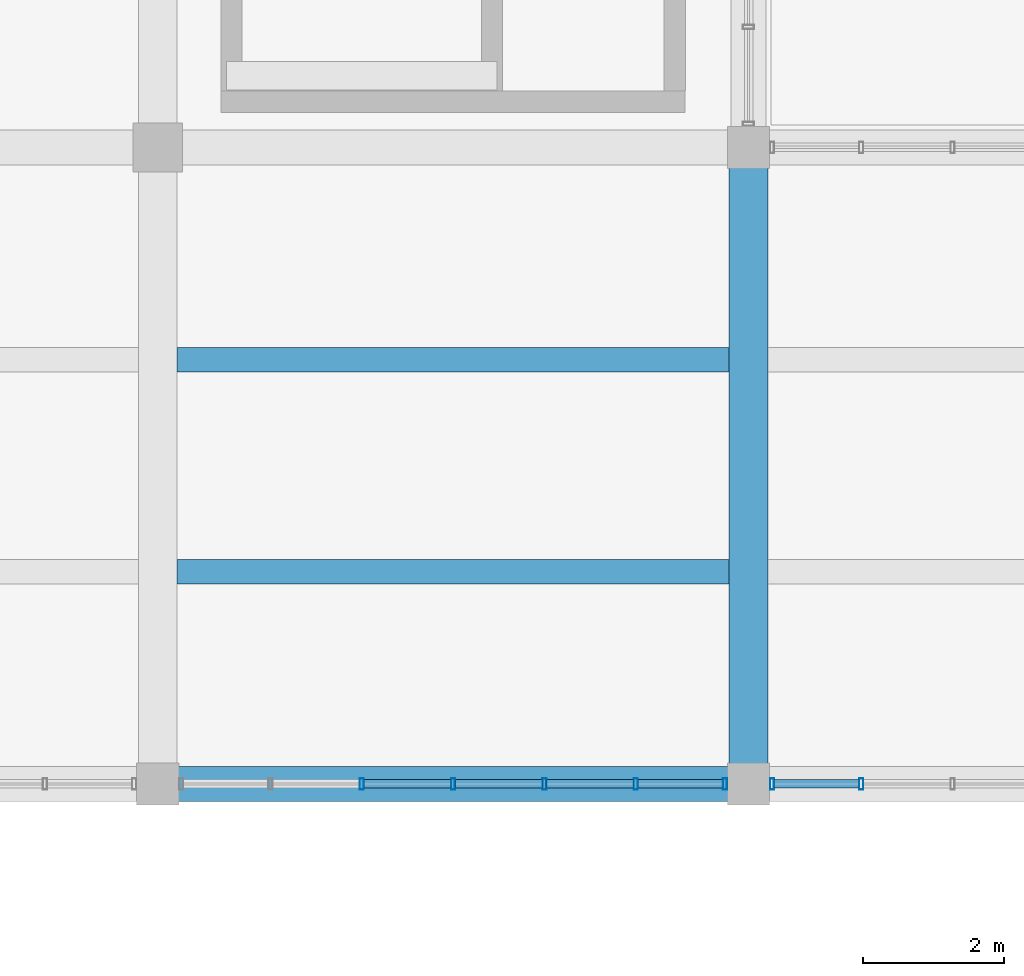
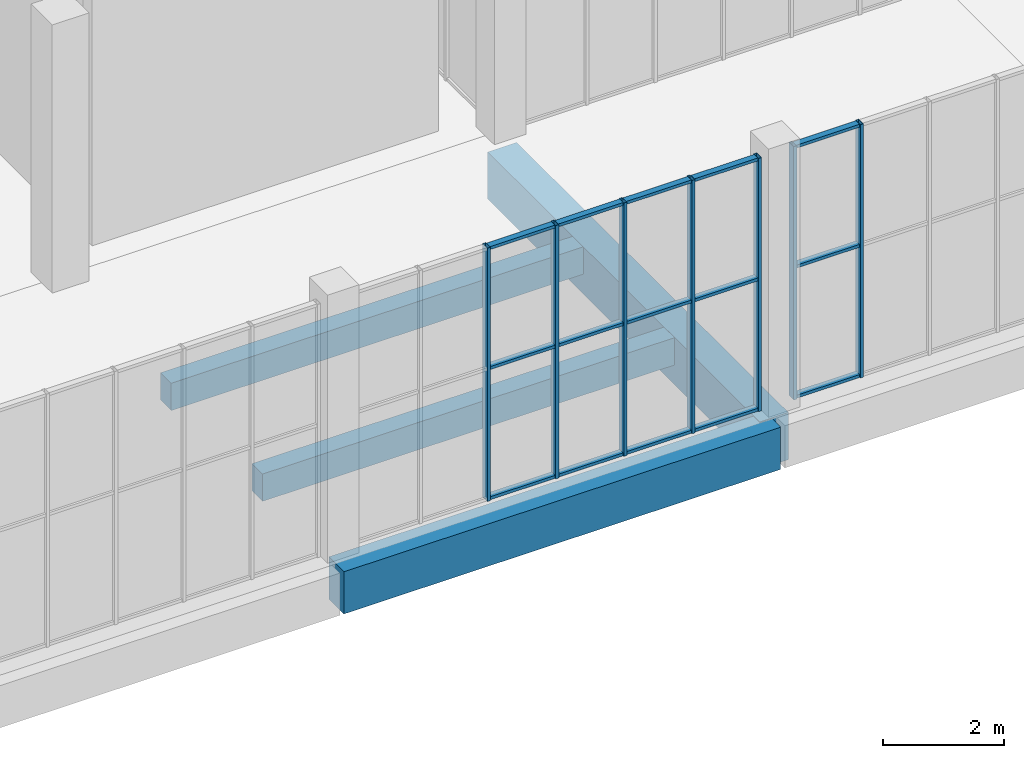
# One storey, part 77 of 132: 22 members, 4 beams, 2 elements without a shape of their own.
"""IFC4 building model written with IfcOpenShell, lengths in metres."""

from ifc_helpers import new_model, si_unit, direction, frame, origin, origin_2d, place, context, subcontext, project, spatial, rectangle, hollow_rectangle, extrude, material, material_profile, profile_set, type_object, element, aggregate, save


model = new_model("IFC4")

# Units and contexts
model_context = context("Model", 3, precision=1e-05, world=origin(), true_north=direction((0.0, 1.0)))
body_context = subcontext(model_context, "Body", "Model", "MODEL_VIEW")
ifc_project = project(units=[si_unit("LENGTHUNIT", "METRE"), si_unit("AREAUNIT", "SQUARE_METRE"), si_unit("VOLUMEUNIT", "CUBIC_METRE"), si_unit("PLANEANGLEUNIT", "RADIAN"), si_unit("MASSUNIT", "GRAM", prefix="KILO")], contexts=[model_context])

# Site, building, storey
site_placement = place(None, origin())
site = spatial("IfcSite", under=ifc_project, at=site_placement, CompositionType="ELEMENT")
building_placement = place(site_placement, origin())
building = spatial("IfcBuilding", under=site, at=building_placement, Name="Khurvash Pelagic Aquarium", CompositionType="ELEMENT")
storey_placement = place(building_placement, frame((0.0, 0.0, 5.39990234375)))
storey = spatial("IfcBuildingStorey", under=building, at=storey_placement, Name="L01", CompositionType="ELEMENT", Elevation=5.39990234375)

# Beam
ifc_material_1 = material(Name="Concrete C40/50", Category="concrete")
ifc_material_profile_1 = material_profile(ifc_material_1, rectangle(XDim=0.550048828125, YDim=0.949951171875, at=origin_2d()), Name="RC550X950")
ifc_profile_set_1 = profile_set([ifc_material_profile_1], Name="Concrete C40/50")
beam_type_1 = type_object("IfcBeamType", Name="BM-02", PredefinedType="BEAM", material=ifc_profile_set_1)
beam_1_placement = place(storey_placement, frame((117.60009765625, 75.0400390625, -0.784912109375), z_axis=(0.0, 1.0, 0.0), x_axis=(-1.0, 0.0, 0.0)))
element("IfcBeam", 1, at=beam_1_placement, inside=storey, type_object=beam_type_1, Name="L01 Primary Girder BM-02 00425", PredefinedType="BEAM", context=body_context, shape_type="SweptSolid", body=[
    extrude(rectangle(XDim=0.550048828125, YDim=0.949951171875, at=origin_2d()), origin(), (0.0, 0.0, 1.0), 8.969970703125),
])

# Curtain wall, members
ifc_material_2 = material(Name="Anodised aluminium and low-E laminated glass", Category="aluminium")
curtain_wall_type = type_object("IfcCurtainWallType", Name="CW-05", PredefinedType="USERDEFINED", material=ifc_material_2)
curtain_wall_1_placement = place(storey_placement, origin())
curtain_wall_1 = element("IfcCurtainWall", 2, at=curtain_wall_1_placement, inside=storey, type_object=curtain_wall_type, Name="L01 Facade Unitised Curtain Wall CW-05 0142", ObjectType="UNITISED CURTAIN WALL", PredefinedType="USERDEFINED")
ifc_material_3 = material(Name="Extruded aluminium AW-6063-T6", Category="aluminium")
ifc_material_profile_2 = material_profile(ifc_material_3, hollow_rectangle(XDim=0.06005859375, YDim=0.159912109375, WallThickness=0.00390625, at=origin_2d()), Name="CWM60X160X4")
ifc_profile_set_2 = profile_set([ifc_material_profile_2], Name="Extruded aluminium AW-6063-T6")
member_type_1 = type_object("IfcMemberType", Name="CM-02", PredefinedType="MULLION", material=ifc_profile_set_2)
member_1_placement = place(storey_placement, frame((112.1015625, 75.0, 0.0), z_axis=(0.0, 0.0, 1.0), x_axis=(1.0, 0.0, 0.0)))
member_1 = element("IfcMember", 3, at=member_1_placement, type_object=member_type_1, Name="CW-05 mullion 3", PredefinedType="MULLION", context=body_context, shape_type="SweptSolid", body=[
    extrude(hollow_rectangle(XDim=0.06005859375, YDim=0.159912109375, WallThickness=0.00390625, at=origin_2d()), origin(), (0.0, 0.0, 1.0), 5.10009765625),
])
member_2_placement = place(storey_placement, frame((113.39990234375, 75.0, 0.0), z_axis=(0.0, 0.0, 1.0), x_axis=(1.0, 0.0, 0.0)))
member_2 = element("IfcMember", 4, at=member_2_placement, type_object=member_type_1, Name="CW-05 mullion 4", PredefinedType="MULLION", context=body_context, shape_type="SweptSolid", body=[
    extrude(hollow_rectangle(XDim=0.06005859375, YDim=0.159912109375, WallThickness=0.00390625, at=origin_2d()), origin(), (0.0, 0.0, 1.0), 5.10009765625),
])
member_3_placement = place(storey_placement, frame((114.6982421875, 75.0, 0.0), z_axis=(0.0, 0.0, 1.0), x_axis=(1.0, 0.0, 0.0)))
member_3 = element("IfcMember", 5, at=member_3_placement, type_object=member_type_1, Name="CW-05 mullion 5", PredefinedType="MULLION", context=body_context, shape_type="SweptSolid", body=[
    extrude(hollow_rectangle(XDim=0.06005859375, YDim=0.159912109375, WallThickness=0.00390625, at=origin_2d()), origin(), (0.0, 0.0, 1.0), 5.10009765625),
])
member_4_placement = place(storey_placement, frame((115.99658203125, 75.0, 0.0), z_axis=(0.0, 0.0, 1.0), x_axis=(1.0, 0.0, 0.0)))
member_4 = element("IfcMember", 6, at=member_4_placement, type_object=member_type_1, Name="CW-05 mullion 6", PredefinedType="MULLION", context=body_context, shape_type="SweptSolid", body=[
    extrude(hollow_rectangle(XDim=0.06005859375, YDim=0.159912109375, WallThickness=0.00390625, at=origin_2d()), origin(), (0.0, 0.0, 1.0), 5.10009765625),
])
member_5_placement = place(storey_placement, frame((117.264892578125, 75.0, 0.0), z_axis=(0.0, 0.0, 1.0), x_axis=(1.0, 0.0, 0.0)))
member_5 = element("IfcMember", 7, at=member_5_placement, type_object=member_type_1, Name="CW-05 mullion 7", PredefinedType="MULLION", context=body_context, shape_type="SweptSolid", body=[
    extrude(hollow_rectangle(XDim=0.06005859375, YDim=0.159912109375, WallThickness=0.00390625, at=origin_2d()), origin(), (0.0, 0.0, 1.0), 5.10009765625),
])

curtain_wall_2_placement = place(storey_placement, origin())
curtain_wall_2 = element("IfcCurtainWall", 8, at=curtain_wall_2_placement, inside=storey, type_object=curtain_wall_type, Name="L01 Facade Unitised Curtain Wall CW-05 0143", ObjectType="UNITISED CURTAIN WALL", PredefinedType="USERDEFINED")
member_6_placement = place(storey_placement, frame((117.93505859375, 75.0, 0.0), z_axis=(0.0, 0.0, 1.0), x_axis=(1.0, 0.0, 0.0)))
member_6 = element("IfcMember", 9, at=member_6_placement, type_object=member_type_1, Name="CW-05 mullion 1", PredefinedType="MULLION", context=body_context, shape_type="SweptSolid", body=[
    extrude(hollow_rectangle(XDim=0.06005859375, YDim=0.159912109375, WallThickness=0.00390625, at=origin_2d()), origin(), (0.0, 0.0, 1.0), 5.10009765625),
])
member_7_placement = place(storey_placement, frame((119.203369140625, 75.0, 0.0), z_axis=(0.0, 0.0, 1.0), x_axis=(1.0, 0.0, 0.0)))
member_7 = element("IfcMember", 10, at=member_7_placement, type_object=member_type_1, Name="CW-05 mullion 2", PredefinedType="MULLION", context=body_context, shape_type="SweptSolid", body=[
    extrude(hollow_rectangle(XDim=0.06005859375, YDim=0.159912109375, WallThickness=0.00390625, at=origin_2d()), origin(), (0.0, 0.0, 1.0), 5.10009765625),
])

# Member
ifc_material_profile_3 = material_profile(ifc_material_3, hollow_rectangle(XDim=0.1201171875, YDim=0.06005859375, WallThickness=0.00390625, at=origin_2d()), Name="CWT120X60X4")
ifc_profile_set_3 = profile_set([ifc_material_profile_3], Name="Extruded aluminium AW-6063-T6")
member_type_2 = type_object("IfcMemberType", Name="CT-02", PredefinedType="USERDEFINED", material=ifc_profile_set_3)
member_8_placement = place(storey_placement, frame((112.131591796875, 75.0, 0.030029296875), z_axis=(1.0, 0.0, 0.0), x_axis=(0.0, 1.0, 0.0)))
member_8 = element("IfcMember", 11, at=member_8_placement, type_object=member_type_2, Name="CW-05 transom 3.1", ObjectType="TRANSOM", PredefinedType="USERDEFINED", context=body_context, shape_type="SweptSolid", body=[
    extrude(hollow_rectangle(XDim=0.1201171875, YDim=0.06005859375, WallThickness=0.00390625, at=origin_2d()), origin(), (0.0, 0.0, 1.0), 1.238525390625),
])

member_9_placement = place(storey_placement, frame((112.131591796875, 75.0, 2.652099609375), z_axis=(1.0, 0.0, 0.0), x_axis=(0.0, 1.0, 0.0)))
member_9 = element("IfcMember", 12, at=member_9_placement, type_object=member_type_2, Name="CW-05 transom 3.2", ObjectType="TRANSOM", PredefinedType="USERDEFINED", context=body_context, shape_type="SweptSolid", body=[
    extrude(hollow_rectangle(XDim=0.1201171875, YDim=0.06005859375, WallThickness=0.00390625, at=origin_2d()), origin(), (0.0, 0.0, 1.0), 1.238525390625),
])

member_10_placement = place(storey_placement, frame((112.131591796875, 75.0, 5.070068359375), z_axis=(1.0, 0.0, 0.0), x_axis=(0.0, 1.0, 0.0)))
member_10 = element("IfcMember", 13, at=member_10_placement, type_object=member_type_2, Name="CW-05 transom 3.3", ObjectType="TRANSOM", PredefinedType="USERDEFINED", context=body_context, shape_type="SweptSolid", body=[
    extrude(hollow_rectangle(XDim=0.1201171875, YDim=0.06005859375, WallThickness=0.00390625, at=origin_2d()), origin(), (0.0, 0.0, 1.0), 1.238525390625),
])

member_11_placement = place(storey_placement, frame((113.429931640625, 75.0, 0.030029296875), z_axis=(1.0, 0.0, 0.0), x_axis=(0.0, 1.0, 0.0)))
member_11 = element("IfcMember", 14, at=member_11_placement, type_object=member_type_2, Name="CW-05 transom 4.1", ObjectType="TRANSOM", PredefinedType="USERDEFINED", context=body_context, shape_type="SweptSolid", body=[
    extrude(hollow_rectangle(XDim=0.1201171875, YDim=0.06005859375, WallThickness=0.00390625, at=origin_2d()), origin(), (0.0, 0.0, 1.0), 1.23828125),
])

member_12_placement = place(storey_placement, frame((113.429931640625, 75.0, 2.652099609375), z_axis=(1.0, 0.0, 0.0), x_axis=(0.0, 1.0, 0.0)))
member_12 = element("IfcMember", 15, at=member_12_placement, type_object=member_type_2, Name="CW-05 transom 4.2", ObjectType="TRANSOM", PredefinedType="USERDEFINED", context=body_context, shape_type="SweptSolid", body=[
    extrude(hollow_rectangle(XDim=0.1201171875, YDim=0.06005859375, WallThickness=0.00390625, at=origin_2d()), origin(), (0.0, 0.0, 1.0), 1.23828125),
])

member_13_placement = place(storey_placement, frame((113.429931640625, 75.0, 5.070068359375), z_axis=(1.0, 0.0, 0.0), x_axis=(0.0, 1.0, 0.0)))
member_13 = element("IfcMember", 16, at=member_13_placement, type_object=member_type_2, Name="CW-05 transom 4.3", ObjectType="TRANSOM", PredefinedType="USERDEFINED", context=body_context, shape_type="SweptSolid", body=[
    extrude(hollow_rectangle(XDim=0.1201171875, YDim=0.06005859375, WallThickness=0.00390625, at=origin_2d()), origin(), (0.0, 0.0, 1.0), 1.23828125),
])

member_14_placement = place(storey_placement, frame((114.728271484375, 75.0, 0.030029296875), z_axis=(1.0, 0.0, 0.0), x_axis=(0.0, 1.0, 0.0)))
member_14 = element("IfcMember", 17, at=member_14_placement, type_object=member_type_2, Name="CW-05 transom 5.1", ObjectType="TRANSOM", PredefinedType="USERDEFINED", context=body_context, shape_type="SweptSolid", body=[
    extrude(hollow_rectangle(XDim=0.1201171875, YDim=0.06005859375, WallThickness=0.00390625, at=origin_2d()), origin(), (0.0, 0.0, 1.0), 1.23828125),
])

member_15_placement = place(storey_placement, frame((114.728271484375, 75.0, 2.652099609375), z_axis=(1.0, 0.0, 0.0), x_axis=(0.0, 1.0, 0.0)))
member_15 = element("IfcMember", 18, at=member_15_placement, type_object=member_type_2, Name="CW-05 transom 5.2", ObjectType="TRANSOM", PredefinedType="USERDEFINED", context=body_context, shape_type="SweptSolid", body=[
    extrude(hollow_rectangle(XDim=0.1201171875, YDim=0.06005859375, WallThickness=0.00390625, at=origin_2d()), origin(), (0.0, 0.0, 1.0), 1.23828125),
])

member_16_placement = place(storey_placement, frame((114.728271484375, 75.0, 5.070068359375), z_axis=(1.0, 0.0, 0.0), x_axis=(0.0, 1.0, 0.0)))
member_16 = element("IfcMember", 19, at=member_16_placement, type_object=member_type_2, Name="CW-05 transom 5.3", ObjectType="TRANSOM", PredefinedType="USERDEFINED", context=body_context, shape_type="SweptSolid", body=[
    extrude(hollow_rectangle(XDim=0.1201171875, YDim=0.06005859375, WallThickness=0.00390625, at=origin_2d()), origin(), (0.0, 0.0, 1.0), 1.23828125),
])

member_17_placement = place(storey_placement, frame((116.026611328125, 75.0, 0.030029296875), z_axis=(1.0, 0.0, 0.0), x_axis=(0.0, 1.0, 0.0)))
member_17 = element("IfcMember", 20, at=member_17_placement, type_object=member_type_2, Name="CW-05 transom 6.1", ObjectType="TRANSOM", PredefinedType="USERDEFINED", context=body_context, shape_type="SweptSolid", body=[
    extrude(hollow_rectangle(XDim=0.1201171875, YDim=0.06005859375, WallThickness=0.00390625, at=origin_2d()), origin(), (0.0, 0.0, 1.0), 1.20849609375),
])

member_18_placement = place(storey_placement, frame((116.026611328125, 75.0, 2.652099609375), z_axis=(1.0, 0.0, 0.0), x_axis=(0.0, 1.0, 0.0)))
member_18 = element("IfcMember", 21, at=member_18_placement, type_object=member_type_2, Name="CW-05 transom 6.2", ObjectType="TRANSOM", PredefinedType="USERDEFINED", context=body_context, shape_type="SweptSolid", body=[
    extrude(hollow_rectangle(XDim=0.1201171875, YDim=0.06005859375, WallThickness=0.00390625, at=origin_2d()), origin(), (0.0, 0.0, 1.0), 1.20849609375),
])

member_19_placement = place(storey_placement, frame((116.026611328125, 75.0, 5.070068359375), z_axis=(1.0, 0.0, 0.0), x_axis=(0.0, 1.0, 0.0)))
member_19 = element("IfcMember", 22, at=member_19_placement, type_object=member_type_2, Name="CW-05 transom 6.3", ObjectType="TRANSOM", PredefinedType="USERDEFINED", context=body_context, shape_type="SweptSolid", body=[
    extrude(hollow_rectangle(XDim=0.1201171875, YDim=0.06005859375, WallThickness=0.00390625, at=origin_2d()), origin(), (0.0, 0.0, 1.0), 1.20849609375),
])

aggregate(curtain_wall_1, [member_1, member_2, member_3, member_4, member_5, member_8, member_9, member_10, member_11, member_12, member_13, member_14, member_15, member_16, member_17, member_18, member_19])

member_20_placement = place(storey_placement, frame((117.965087890625, 75.0, 0.030029296875), z_axis=(1.0, 0.0, 0.0), x_axis=(0.0, 1.0, 0.0)))
member_20 = element("IfcMember", 23, at=member_20_placement, type_object=member_type_2, Name="CW-05 transom 1.1", ObjectType="TRANSOM", PredefinedType="USERDEFINED", context=body_context, shape_type="SweptSolid", body=[
    extrude(hollow_rectangle(XDim=0.1201171875, YDim=0.06005859375, WallThickness=0.00390625, at=origin_2d()), origin(), (0.0, 0.0, 1.0), 1.208251953125),
])

member_21_placement = place(storey_placement, frame((117.965087890625, 75.0, 2.652099609375), z_axis=(1.0, 0.0, 0.0), x_axis=(0.0, 1.0, 0.0)))
member_21 = element("IfcMember", 24, at=member_21_placement, type_object=member_type_2, Name="CW-05 transom 1.2", ObjectType="TRANSOM", PredefinedType="USERDEFINED", context=body_context, shape_type="SweptSolid", body=[
    extrude(hollow_rectangle(XDim=0.1201171875, YDim=0.06005859375, WallThickness=0.00390625, at=origin_2d()), origin(), (0.0, 0.0, 1.0), 1.208251953125),
])

member_22_placement = place(storey_placement, frame((117.965087890625, 75.0, 5.070068359375), z_axis=(1.0, 0.0, 0.0), x_axis=(0.0, 1.0, 0.0)))
member_22 = element("IfcMember", 25, at=member_22_placement, type_object=member_type_2, Name="CW-05 transom 1.3", ObjectType="TRANSOM", PredefinedType="USERDEFINED", context=body_context, shape_type="SweptSolid", body=[
    extrude(hollow_rectangle(XDim=0.1201171875, YDim=0.06005859375, WallThickness=0.00390625, at=origin_2d()), origin(), (0.0, 0.0, 1.0), 1.208251953125),
])

aggregate(curtain_wall_2, [member_6, member_7, member_20, member_21, member_22])

# Beams
ifc_material_4 = material(Name="Concrete C35/45", Category="concrete")
ifc_material_profile_4 = material_profile(ifc_material_4, rectangle(XDim=0.35009765625, YDim=0.550048828125, at=origin_2d()), Name="RC350X550")
ifc_profile_set_4 = profile_set([ifc_material_profile_4], Name="Concrete C35/45")
beam_type_2 = type_object("IfcBeamType", Name="JS-01", PredefinedType="JOIST", material=ifc_profile_set_4)
for number, where, z_axis, x_axis, name in (
    (26, (109.47509765625, 78.01708984375, -0.5849609375), (1.0, 0.0, 0.0), (0.0, 1.0, 0.0), "L01 Floor Joist JS-01 00554"),
    (27, (109.47509765625, 81.032958984375, -0.5849609375), (1.0, 0.0, 0.0), (0.0, 1.0, 0.0), "L01 Floor Joist JS-01 00555"),
):
    element("IfcBeam", number, at=place(storey_placement, frame(where, z_axis=z_axis, x_axis=x_axis)), inside=storey, type_object=beam_type_2, Name=name, PredefinedType="JOIST", context=body_context, shape_type="SweptSolid", body=[
        extrude(rectangle(XDim=0.35009765625, YDim=0.550048828125, at=origin_2d()), origin(), (0.0, 0.0, 1.0), 7.849853515625),
    ])
ifc_material_profile_5 = material_profile(ifc_material_1, rectangle(XDim=0.5, YDim=0.85009765625, at=origin_2d()), Name="RC500X850")
ifc_profile_set_5 = profile_set([ifc_material_profile_5], Name="Concrete C40/50")
beam_type_3 = type_object("IfcBeamType", Name="SEB-03", PredefinedType="SPANDREL", material=ifc_profile_set_5)
beam_2_placement = place(storey_placement, frame((109.239990234375, 75.0, -0.744873046875), z_axis=(1.0, 0.0, 0.0), x_axis=(0.0, 1.0, 0.0)))
element("IfcBeam", 28, at=beam_2_placement, inside=storey, type_object=beam_type_3, Name="L01 Primary Girder SEB-03 00304", PredefinedType="SPANDREL", context=body_context, shape_type="SweptSolid", body=[
    extrude(rectangle(XDim=0.5, YDim=0.85009765625, at=origin_2d()), origin(), (0.0, 0.0, 1.0), 8.320068359375),
])

save(model, "model.ifc")
